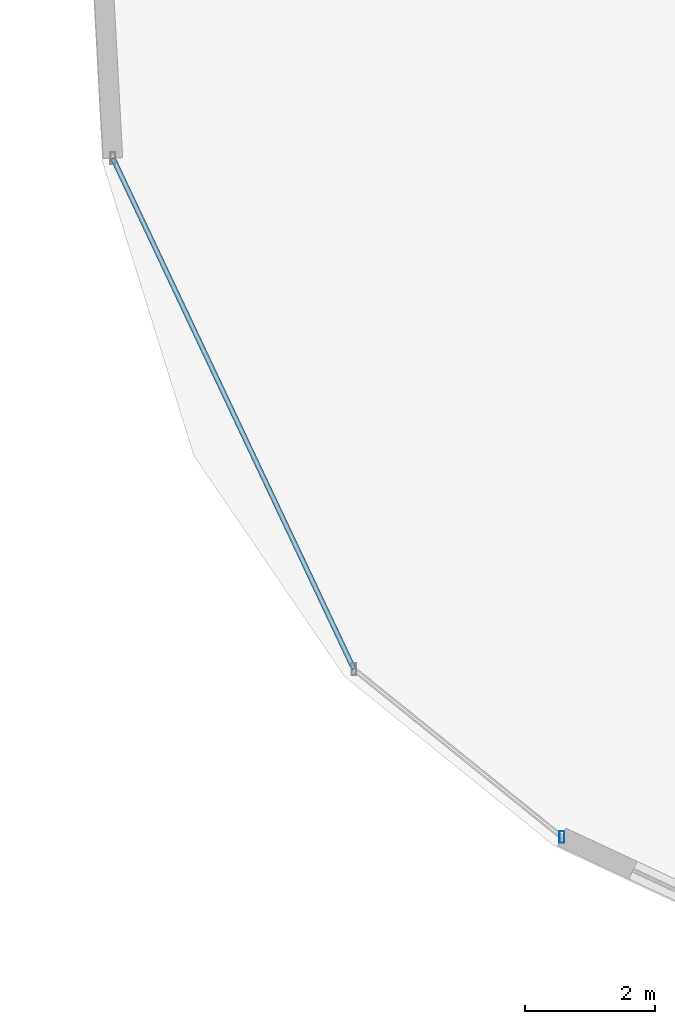
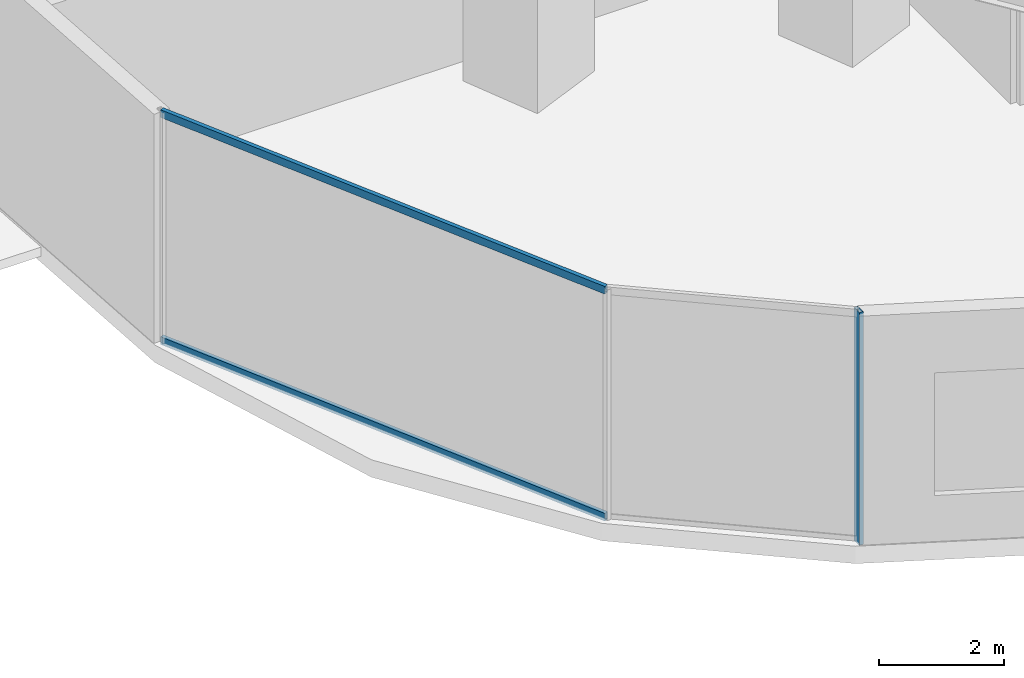
# One storey, part 3 of 36: 3 members, 1 element without a shape of its own.
"""IFC4 building model written with IfcOpenShell, lengths in metres."""

from ifc_helpers import new_model, si_unit, direction, frame, origin, origin_2d, place, context, subcontext, project, spatial, hollow_rectangle, extrude, material, material_profile, profile_set, type_object, element, aggregate, save


model = new_model("IFC4")

# Units and contexts
model_context = context("Model", 3, precision=1e-05, world=origin(), true_north=direction((0.0, 1.0)))
body_context = subcontext(model_context, "Body", "Model", "MODEL_VIEW")
ifc_project = project(units=[si_unit("LENGTHUNIT", "METRE"), si_unit("AREAUNIT", "SQUARE_METRE"), si_unit("VOLUMEUNIT", "CUBIC_METRE"), si_unit("PLANEANGLEUNIT", "RADIAN"), si_unit("MASSUNIT", "GRAM", prefix="KILO")], contexts=[model_context])

# Site, building, storey
site_placement = place(None, origin())
site = spatial("IfcSite", under=ifc_project, at=site_placement, CompositionType="ELEMENT")
building_placement = place(site_placement, origin())
building = spatial("IfcBuilding", under=site, at=building_placement, Name="Vorneva Point Tower", CompositionType="ELEMENT")
storey_placement = place(building_placement, origin())
storey = spatial("IfcBuildingStorey", under=building, at=storey_placement, Name="L00", CompositionType="ELEMENT", Elevation=0.0)

# Curtain wall, members
ifc_material = material(Name="Pale anodised aluminium", Category="aluminium")
curtain_wall_type = type_object("IfcCurtainWallType", Name="CW-POD-SYS", PredefinedType="NOTDEFINED", material=ifc_material)
curtain_wall_placement = place(storey_placement, origin())
curtain_wall = element("IfcCurtainWall", 1, at=curtain_wall_placement, inside=storey, type_object=curtain_wall_type, Name="L00 Unitised Curtain Wall CW-L00-R05", PredefinedType="NOTDEFINED")
ifc_material_profile_1 = material_profile(ifc_material, hollow_rectangle(XDim=0.074951171875, YDim=0.179931640625, WallThickness=0.00390625, at=origin_2d()), Name="AL-MUL 180x75x4")
ifc_profile_set_1 = profile_set([ifc_material_profile_1], Name="Pale anodised aluminium")
member_type_1 = type_object("IfcMemberType", Name="CW-MUL-180", PredefinedType="MULLION", material=ifc_profile_set_1)
member_1_placement = place(storey_placement, frame((9.7841796875, 6.964111328125, -0.0400390625), z_axis=(0.0, 0.0, 1.0), x_axis=(1.0, 0.0, 0.0)))
member_1 = element("IfcMember", 2, at=member_1_placement, type_object=member_type_1, Name="CW-L00-R05 Mullion 03", PredefinedType="MULLION", context=body_context, shape_type="SweptSolid", body=[
    extrude(hollow_rectangle(XDim=0.074951171875, YDim=0.179931640625, WallThickness=0.00390625, at=origin_2d()), origin(), (0.0, 0.0, 1.0), 4.550048828125),
])
ifc_material_profile_2 = material_profile(ifc_material, hollow_rectangle(XDim=0.074951171875, YDim=0.14990234375, WallThickness=0.00390625, at=origin_2d()), Name="AL-TRN 150x75x4")
ifc_profile_set_2 = profile_set([ifc_material_profile_2], Name="Pale anodised aluminium")
member_type_2 = type_object("IfcMemberType", Name="CW-TRN-150", PredefinedType="USERDEFINED", material=ifc_profile_set_2)
member_2_placement = place(storey_placement, frame((2.902587890625, 17.369873046875, 0.02001953125), z_axis=(0.426547348552, -0.904465233961, 0.0), x_axis=(0.904465233961, 0.426547348552, 0.0)))
member_2 = element("IfcMember", 3, at=member_2_placement, type_object=member_type_2, Name="CW-L00-R05 Transom 01.1", ObjectType="TRANSOM", PredefinedType="USERDEFINED", context=body_context, shape_type="SweptSolid", body=[
    extrude(hollow_rectangle(XDim=0.074951171875, YDim=0.14990234375, WallThickness=0.00390625, at=origin_2d()), origin(), (0.0, 0.0, 1.0), 8.663818359375),
])
member_3_placement = place(storey_placement, frame((2.902587890625, 17.369873046875, 4.4599609375), z_axis=(0.426547348552, -0.904465233961, 0.0), x_axis=(0.904465233961, 0.426547348552, 0.0)))
member_3 = element("IfcMember", 4, at=member_3_placement, type_object=member_type_2, Name="CW-L00-R05 Transom 01.2", ObjectType="TRANSOM", PredefinedType="USERDEFINED", context=body_context, shape_type="SweptSolid", body=[
    extrude(hollow_rectangle(XDim=0.074951171875, YDim=0.14990234375, WallThickness=0.00390625, at=origin_2d()), origin(), (0.0, 0.0, 1.0), 8.663818359375),
])
aggregate(curtain_wall, [member_1, member_2, member_3])

save(model, "model.ifc")
